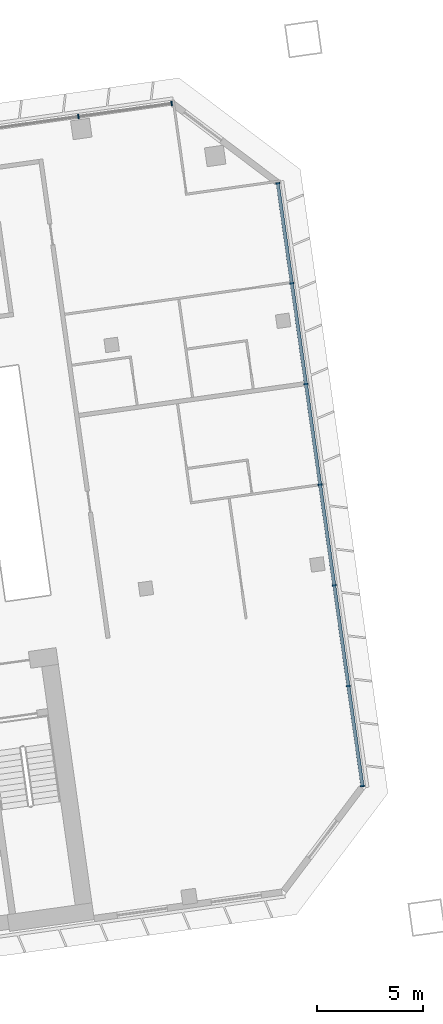
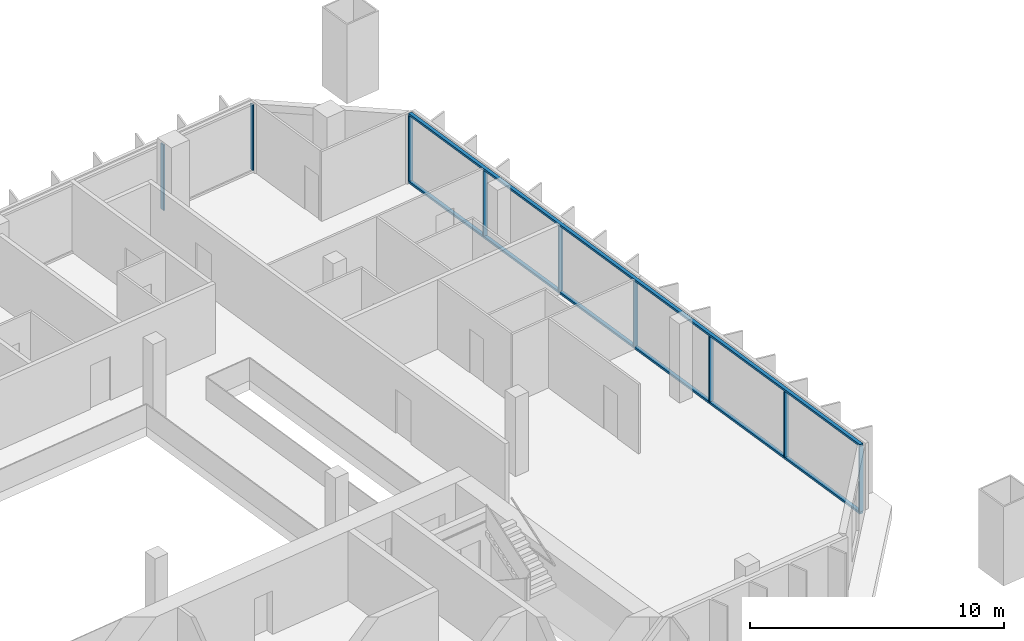
# One storey, part 11 of 27: 11 members, 2 elements without a shape of their own.
"""IFC4 building model written with IfcOpenShell, lengths in metres."""

from ifc_helpers import new_model, si_unit, direction, frame, origin, origin_2d, place, context, subcontext, project, spatial, rectangle, extrude, material, material_profile, profile_set, type_object, element, aggregate, save


model = new_model("IFC4")

# Units and contexts
model_context = context("Model", 3, precision=1e-05, world=origin(), true_north=direction((0.0, 1.0)))
body_context = subcontext(model_context, "Body", "Model", "MODEL_VIEW")
ifc_project = project(units=[si_unit("LENGTHUNIT", "METRE"), si_unit("AREAUNIT", "SQUARE_METRE"), si_unit("VOLUMEUNIT", "CUBIC_METRE"), si_unit("PLANEANGLEUNIT", "RADIAN"), si_unit("MASSUNIT", "GRAM", prefix="KILO")], contexts=[model_context])

# Site, building, storey
site_placement = place(None, origin())
site = spatial("IfcSite", under=ifc_project, at=site_placement, CompositionType="ELEMENT")
building_placement = place(site_placement, origin())
building = spatial("IfcBuilding", under=site, at=building_placement, Name="Mirante Cascada Hotel Towers", CompositionType="ELEMENT")
storey_placement = place(building_placement, frame((0.0, 0.0, 117.7)))
storey = spatial("IfcBuildingStorey", under=building, at=storey_placement, Name="L26", CompositionType="ELEMENT", Elevation=117.7)

# Curtain wall, members
ifc_material_1 = material(Name="Aluminium mullion and transom frame with clear laminated glass", Category="aluminium")
curtain_wall_type_1 = type_object("IfcCurtainWallType", Name="Ribbon curtain wall ECW1", PredefinedType="NOTDEFINED", material=ifc_material_1)
curtain_wall_1_placement = place(storey_placement, origin())
curtain_wall_1 = element("IfcCurtainWall", 1, at=curtain_wall_1_placement, inside=storey, type_object=curtain_wall_type_1, Name="Front ribbon wall T2 L26", PredefinedType="NOTDEFINED")
ifc_material_2 = material(Name="Anodised aluminium extrusion", Category="aluminium")
ifc_material_profile_1 = material_profile(ifc_material_2, rectangle(XDim=0.2, YDim=0.065, at=origin_2d()), Name="ECW1 MULLION 65x200")
ifc_profile_set_1 = profile_set([ifc_material_profile_1], Name="Anodised aluminium extrusion")
member_type_1 = type_object("IfcMemberType", Name="ECW1 mullion 65x200", PredefinedType="MULLION", material=ifc_profile_set_1)
member_1_placement = place(storey_placement, frame((94.126, 26.0476, 0.1), z_axis=(0.0, 0.0, 1.0), x_axis=(0.1391731, -0.9902681, 0.0)))
member_1 = element("IfcMember", 2, at=member_1_placement, type_object=member_type_1, Name="ECW1 mullion 1", PredefinedType="MULLION", context=body_context, shape_type="SweptSolid", body=[
    extrude(rectangle(XDim=0.2, YDim=0.065, at=origin_2d()), origin(), (0.0, 0.0, 1.0), 3.15),
])
member_2_placement = place(storey_placement, frame((89.7107, 25.427, 0.1), z_axis=(0.0, 0.0, 1.0), x_axis=(0.1391731, -0.9902681, 0.0)))
member_2 = element("IfcMember", 3, at=member_2_placement, type_object=member_type_1, Name="ECW1 mullion 2", PredefinedType="MULLION", context=body_context, shape_type="SweptSolid", body=[
    extrude(rectangle(XDim=0.2, YDim=0.065, at=origin_2d()), origin(), (0.0, 0.0, 1.0), 3.15),
])
aggregate(curtain_wall_1, [member_1, member_2])

ifc_material_3 = material(Name="Aluminium mullion and transom frame with clear laminated glass", Category="aluminium")
curtain_wall_type_2 = type_object("IfcCurtainWallType", Name="End ribbon curtain wall ECW2", PredefinedType="NOTDEFINED", material=ifc_material_3)
curtain_wall_2_placement = place(storey_placement, origin())
curtain_wall_2 = element("IfcCurtainWall", 4, at=curtain_wall_2_placement, inside=storey, type_object=curtain_wall_type_2, Name="Outer end wall T2 L26", PredefinedType="NOTDEFINED")
ifc_material_4 = material(Name="Anodised aluminium extrusion", Category="aluminium")
ifc_material_profile_2 = material_profile(ifc_material_4, rectangle(XDim=0.2, YDim=0.065, at=origin_2d()), Name="ECW2 MULLION 65x200")
ifc_profile_set_2 = profile_set([ifc_material_profile_2], Name="Anodised aluminium extrusion")
member_type_2 = type_object("IfcMemberType", Name="ECW2 mullion 65x200", PredefinedType="MULLION", material=ifc_profile_set_2)
member_3_placement = place(storey_placement, frame((103.1556, -6.2656, 0.1), z_axis=(0.0, 0.0, 1.0), x_axis=(-0.9902681, -0.1391731, 0.0)))
member_3 = element("IfcMember", 5, at=member_3_placement, type_object=member_type_2, Name="ECW2 mullion 1", PredefinedType="MULLION", context=body_context, shape_type="SweptSolid", body=[
    extrude(rectangle(XDim=0.2, YDim=0.065, at=origin_2d()), origin(), (0.0, 0.0, 1.0), 3.15),
])
member_4_placement = place(storey_placement, frame((102.4903, -1.532, 0.1), z_axis=(0.0, 0.0, 1.0), x_axis=(-0.9902681, -0.1391731, 0.0)))
member_4 = element("IfcMember", 6, at=member_4_placement, type_object=member_type_2, Name="ECW2 mullion 2", PredefinedType="MULLION", context=body_context, shape_type="SweptSolid", body=[
    extrude(rectangle(XDim=0.2, YDim=0.065, at=origin_2d()), origin(), (0.0, 0.0, 1.0), 3.15),
])
member_5_placement = place(storey_placement, frame((101.8205, 3.2338, 0.1), z_axis=(0.0, 0.0, 1.0), x_axis=(-0.9902681, -0.1391731, 0.0)))
member_5 = element("IfcMember", 7, at=member_5_placement, type_object=member_type_2, Name="ECW2 mullion 3", PredefinedType="MULLION", context=body_context, shape_type="SweptSolid", body=[
    extrude(rectangle(XDim=0.2, YDim=0.065, at=origin_2d()), origin(), (0.0, 0.0, 1.0), 3.15),
])
member_6_placement = place(storey_placement, frame((101.1508, 7.9996, 0.1), z_axis=(0.0, 0.0, 1.0), x_axis=(-0.9902681, -0.1391731, 0.0)))
member_6 = element("IfcMember", 8, at=member_6_placement, type_object=member_type_2, Name="ECW2 mullion 4", PredefinedType="MULLION", context=body_context, shape_type="SweptSolid", body=[
    extrude(rectangle(XDim=0.2, YDim=0.065, at=origin_2d()), origin(), (0.0, 0.0, 1.0), 3.15),
])
member_7_placement = place(storey_placement, frame((100.481, 12.7654, 0.1), z_axis=(0.0, 0.0, 1.0), x_axis=(-0.9902681, -0.1391731, 0.0)))
member_7 = element("IfcMember", 9, at=member_7_placement, type_object=member_type_2, Name="ECW2 mullion 5", PredefinedType="MULLION", context=body_context, shape_type="SweptSolid", body=[
    extrude(rectangle(XDim=0.2, YDim=0.065, at=origin_2d()), origin(), (0.0, 0.0, 1.0), 3.15),
])
member_8_placement = place(storey_placement, frame((99.8112, 17.5312, 0.1), z_axis=(0.0, 0.0, 1.0), x_axis=(-0.9902681, -0.1391731, 0.0)))
member_8 = element("IfcMember", 10, at=member_8_placement, type_object=member_type_2, Name="ECW2 mullion 6", PredefinedType="MULLION", context=body_context, shape_type="SweptSolid", body=[
    extrude(rectangle(XDim=0.2, YDim=0.065, at=origin_2d()), origin(), (0.0, 0.0, 1.0), 3.15),
])
member_9_placement = place(storey_placement, frame((99.1459, 22.2648, 0.1), z_axis=(0.0, 0.0, 1.0), x_axis=(-0.9902681, -0.1391731, 0.0)))
member_9 = element("IfcMember", 11, at=member_9_placement, type_object=member_type_2, Name="ECW2 mullion 7", PredefinedType="MULLION", context=body_context, shape_type="SweptSolid", body=[
    extrude(rectangle(XDim=0.2, YDim=0.065, at=origin_2d()), origin(), (0.0, 0.0, 1.0), 3.15),
])
ifc_material_5 = material(Name="Anodised aluminium extrusion", Category="aluminium")
ifc_material_profile_3 = material_profile(ifc_material_5, rectangle(XDim=0.16, YDim=0.1, at=origin_2d()), Name="ECW2 TRANSOM 100x160")
ifc_profile_set_3 = profile_set([ifc_material_profile_3], Name="Anodised aluminium extrusion")
member_type_3 = type_object("IfcMemberType", Name="ECW2 transom 100x160", PredefinedType="USERDEFINED", material=ifc_profile_set_3)
member_10_placement = place(storey_placement, frame((103.1601, -6.2978, 0.05), z_axis=(-0.1391723, 0.9902682, 0.0), x_axis=(-0.9902682, -0.1391723, 0.0)))
member_10 = element("IfcMember", 12, at=member_10_placement, type_object=member_type_3, Name="ECW2 sill transom", ObjectType="TRANSOM", PredefinedType="USERDEFINED", context=body_context, shape_type="SweptSolid", body=[
    extrude(rectangle(XDim=0.16, YDim=0.1, at=origin_2d()), origin(), (0.0, 0.0, 1.0), 28.8757),
])
member_11_placement = place(storey_placement, frame((103.1601, -6.2978, 3.3), z_axis=(-0.1391723, 0.9902682, 0.0), x_axis=(-0.9902682, -0.1391723, 0.0)))
member_11 = element("IfcMember", 13, at=member_11_placement, type_object=member_type_3, Name="ECW2 head transom", ObjectType="TRANSOM", PredefinedType="USERDEFINED", context=body_context, shape_type="SweptSolid", body=[
    extrude(rectangle(XDim=0.16, YDim=0.1, at=origin_2d()), origin(), (0.0, 0.0, 1.0), 28.8757),
])
aggregate(curtain_wall_2, [member_10, member_11, member_3, member_4, member_5, member_6, member_7, member_8, member_9])

save(model, "model.ifc")
